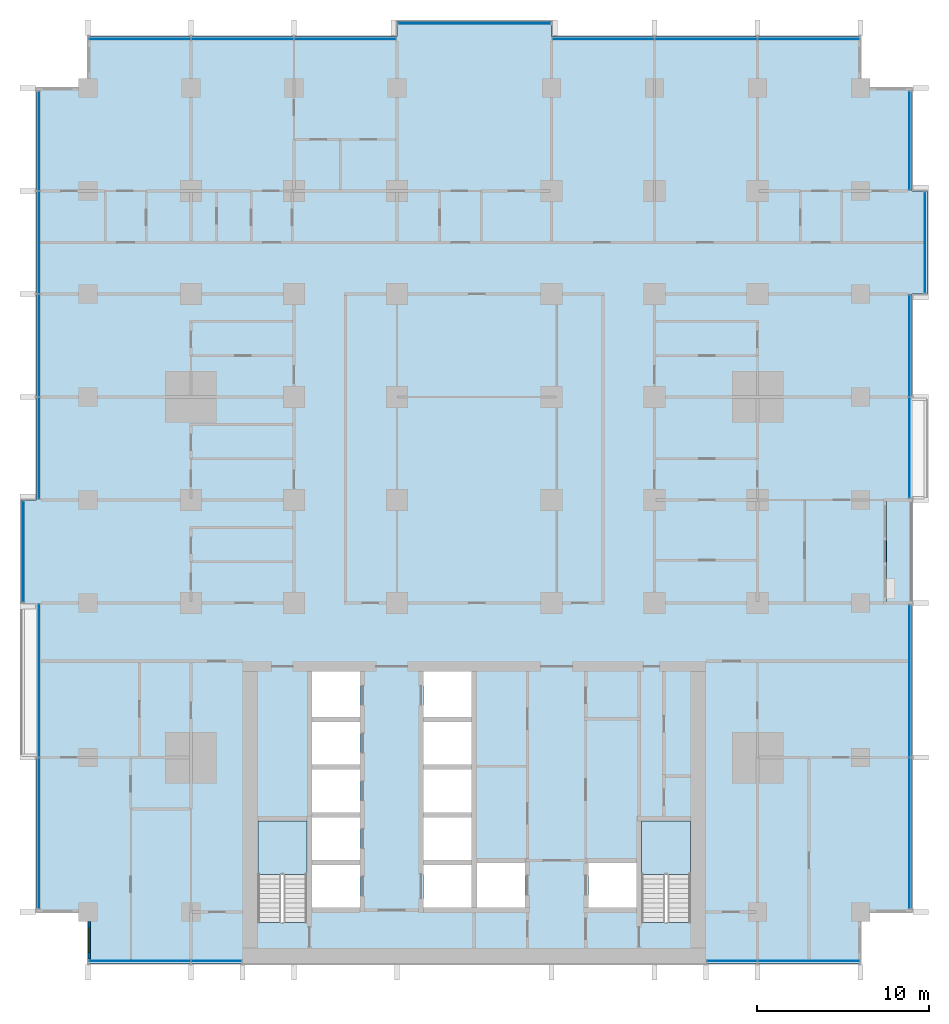
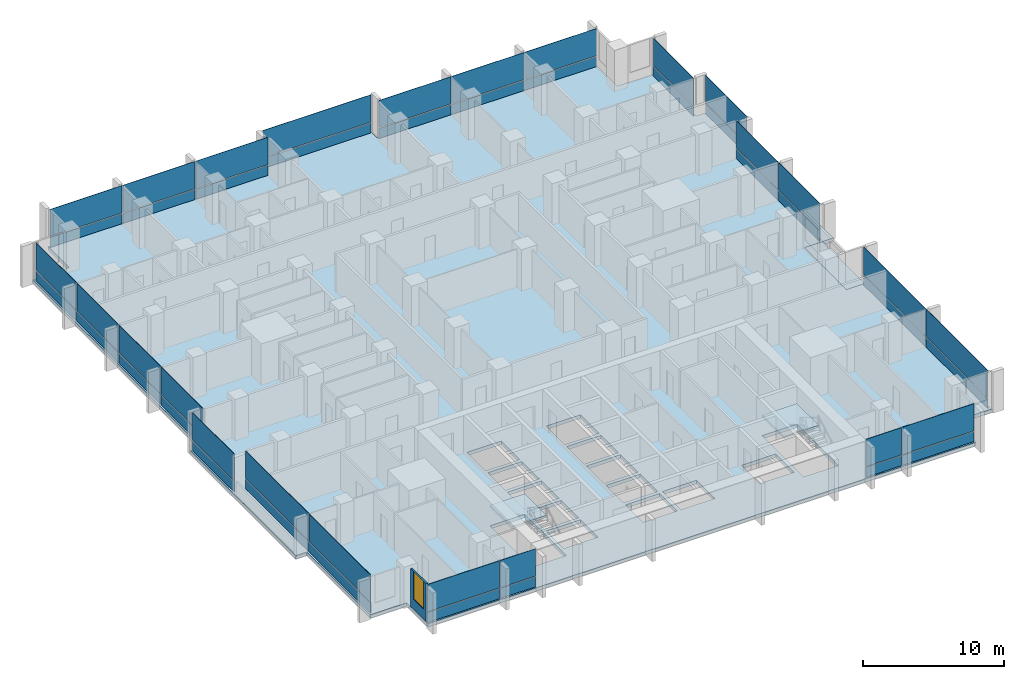
# One storey, part 6 of 17: 48 plates, 4 slabs, 1 wall, 1 window, 1 opening, 14 elements without a shape of their own.
"""IFC4 building model written with IfcOpenShell, lengths in metres."""

from ifc_helpers import new_model, si_unit, direction, frame, frame_2d, origin, origin_2d, place, context, subcontext, project, spatial, polyline, rectangle, outline, extrude, material, layer, layer_set, type_object, element, fill, aggregate, save


model = new_model("IFC4")

# Units and contexts
model_context = context("Model", 3, precision=1e-05, world=origin(), true_north=direction((0.0, 1.0)))
body_context = subcontext(model_context, "Body", "Model", "MODEL_VIEW")
ifc_project = project(units=[si_unit("LENGTHUNIT", "METRE"), si_unit("AREAUNIT", "SQUARE_METRE"), si_unit("VOLUMEUNIT", "CUBIC_METRE"), si_unit("PLANEANGLEUNIT", "RADIAN"), si_unit("MASSUNIT", "GRAM", prefix="KILO")], contexts=[model_context])

# Site, building, storey
site_placement = place(None, origin())
site = spatial("IfcSite", under=ifc_project, at=site_placement, CompositionType="ELEMENT")
building_placement = place(site_placement, origin())
building = spatial("IfcBuilding", under=site, at=building_placement, Name="Finial Court Residences", CompositionType="ELEMENT")
storey_placement = place(building_placement, frame((0.0, 0.0, 64.89990234375)))
storey = spatial("IfcBuildingStorey", under=building, at=storey_placement, Name="L15", CompositionType="ELEMENT", Elevation=64.89990234375)

# Slab
ifc_material_1 = material(Name="Concrete C35/45", Category="concrete")
ifc_layer_1 = layer(ifc_material_1, 0.199951171875)
ifc_layer_set_1 = layer_set([ifc_layer_1], Name="Balcony slab, Concrete C35/45 200")
slab_type_1 = type_object("IfcSlabType", Name="Balcony slab, Concrete C35/45 200", PredefinedType="FLOOR", material=ifc_layer_set_1)
slab_1_placement = place(storey_placement, frame((0.0, 0.0, -0.199951171875)))
element("IfcSlab", 1, at=slab_1_placement, inside=storey, type_object=slab_type_1, Name="Balcony L15-E3", PredefinedType="FLOOR", context=body_context, shape_type="SweptSolid", body=[
    extrude(outline(polyline([(25.5, -4.5), (25.5, 1.5), (24.0, 1.5), (24.0, -4.5), (25.5, -4.5)])), origin(), (0.0, 0.0, 1.0), 0.199951171875),
])

# Curtain wall, plates
ifc_material_2 = material(Name="Bronze anodised aluminium", Category="aluminium")
curtain_wall_type = type_object("IfcCurtainWallType", Name="Unitised curtain wall, lower and middle zones", PredefinedType="NOTDEFINED", material=ifc_material_2)
curtain_wall_1_placement = place(storey_placement, origin())
curtain_wall_1 = element("IfcCurtainWall", 2, at=curtain_wall_1_placement, inside=storey, type_object=curtain_wall_type, Name="E-L15-CW-N1", PredefinedType="NOTDEFINED")
ifc_layer_2 = layer(ifc_material_2, 0.0400390625)
ifc_layer_set_2 = layer_set([ifc_layer_2], Name="CW1 spandrel panel 40")
plate_type_1 = type_object("IfcPlateType", Name="CW1 spandrel panel 40", PredefinedType="CURTAIN_PANEL", material=ifc_layer_set_2)
plate_1_placement = place(storey_placement, frame((-19.48388671875, 28.35009765625, 0.0), z_axis=(0.0, 0.0, 1.0), x_axis=(1.0, 0.0, 0.0)))
plate_1 = element("IfcPlate", 3, at=plate_1_placement, type_object=plate_type_1, Name="CW1 spandrel 1.1", PredefinedType="CURTAIN_PANEL", context=body_context, shape_type="SweptSolid", body=[
    extrude(rectangle(XDim=5.902587890625, YDim=0.0400390625, at=origin_2d()), origin(), (0.0, 0.0, 1.0), 0.867431640625),
])
plate_2_placement = place(storey_placement, frame((-13.5, 28.35009765625, 0.0), z_axis=(0.0, 0.0, 1.0), x_axis=(1.0, 0.0, 0.0)))
plate_2 = element("IfcPlate", 4, at=plate_2_placement, type_object=plate_type_1, Name="CW1 spandrel 2.1", PredefinedType="CURTAIN_PANEL", context=body_context, shape_type="SweptSolid", body=[
    extrude(rectangle(XDim=5.93505859375, YDim=0.0400390625, at=origin_2d()), origin(), (0.0, 0.0, 1.0), 0.867431640625),
])
plate_3_placement = place(storey_placement, frame((-7.51611328125, 28.35009765625, 0.0), z_axis=(0.0, 0.0, 1.0), x_axis=(1.0, 0.0, 0.0)))
plate_3 = element("IfcPlate", 5, at=plate_3_placement, type_object=plate_type_1, Name="CW1 spandrel 3.1", PredefinedType="CURTAIN_PANEL", context=body_context, shape_type="SweptSolid", body=[
    extrude(rectangle(XDim=5.902587890625, YDim=0.0400390625, at=origin_2d()), origin(), (0.0, 0.0, 1.0), 0.867431640625),
])

# Curtain wall, plate
curtain_wall_2_placement = place(storey_placement, origin())
curtain_wall_2 = element("IfcCurtainWall", 6, at=curtain_wall_2_placement, inside=storey, type_object=curtain_wall_type, Name="E-L15-CW-N2", PredefinedType="NOTDEFINED")
plate_4_placement = place(storey_placement, frame((0.0, 29.25, 0.0), z_axis=(0.0, 0.0, 1.0), x_axis=(1.0, 0.0, 0.0)))
plate_4 = element("IfcPlate", 7, at=plate_4_placement, type_object=plate_type_1, Name="CW1 spandrel 1.1", PredefinedType="CURTAIN_PANEL", context=body_context, shape_type="SweptSolid", body=[
    extrude(rectangle(XDim=8.8701171875, YDim=0.0400390625, at=origin_2d()), origin(), (0.0, 0.0, 1.0), 0.867431640625),
])

# Curtain wall, plates
curtain_wall_3_placement = place(storey_placement, origin())
curtain_wall_3 = element("IfcCurtainWall", 8, at=curtain_wall_3_placement, inside=storey, type_object=curtain_wall_type, Name="E-L15-CW-N3", PredefinedType="NOTDEFINED")
plate_5_placement = place(storey_placement, frame((7.51611328125, 28.35009765625, 0.0), z_axis=(0.0, 0.0, 1.0), x_axis=(1.0, 0.0, 0.0)))
plate_5 = element("IfcPlate", 9, at=plate_5_placement, type_object=plate_type_1, Name="CW1 spandrel 1.1", PredefinedType="CURTAIN_PANEL", context=body_context, shape_type="SweptSolid", body=[
    extrude(rectangle(XDim=5.902587890625, YDim=0.0400390625, at=origin_2d()), origin(), (0.0, 0.0, 1.0), 0.867431640625),
])
plate_6_placement = place(storey_placement, frame((13.5, 28.35009765625, 0.0), z_axis=(0.0, 0.0, 1.0), x_axis=(1.0, 0.0, 0.0)))
plate_6 = element("IfcPlate", 10, at=plate_6_placement, type_object=plate_type_1, Name="CW1 spandrel 2.1", PredefinedType="CURTAIN_PANEL", context=body_context, shape_type="SweptSolid", body=[
    extrude(rectangle(XDim=5.93505859375, YDim=0.0400390625, at=origin_2d()), origin(), (0.0, 0.0, 1.0), 0.867431640625),
])
plate_7_placement = place(storey_placement, frame((19.48388671875, 28.35009765625, 0.0), z_axis=(0.0, 0.0, 1.0), x_axis=(1.0, 0.0, 0.0)))
plate_7 = element("IfcPlate", 11, at=plate_7_placement, type_object=plate_type_1, Name="CW1 spandrel 3.1", PredefinedType="CURTAIN_PANEL", context=body_context, shape_type="SweptSolid", body=[
    extrude(rectangle(XDim=5.902587890625, YDim=0.0400390625, at=origin_2d()), origin(), (0.0, 0.0, 1.0), 0.867431640625),
])

curtain_wall_4_placement = place(storey_placement, origin())
curtain_wall_4 = element("IfcCurtainWall", 12, at=curtain_wall_4_placement, inside=storey, type_object=curtain_wall_type, Name="E-L15-CW-E4", PredefinedType="NOTDEFINED")
plate_8_placement = place(storey_placement, frame((25.35009765625, -17.90869140625, 0.0), z_axis=(0.0, 0.0, 1.0), x_axis=(0.0, 1.0, 0.0)))
plate_8 = element("IfcPlate", 13, at=plate_8_placement, type_object=plate_type_1, Name="CW1 spandrel 1.1", PredefinedType="CURTAIN_PANEL", context=body_context, shape_type="SweptSolid", body=[
    extrude(rectangle(XDim=8.75244140625, YDim=0.0400390625, at=origin_2d()), origin(), (0.0, 0.0, 1.0), 0.867431640625),
])
plate_9_placement = place(storey_placement, frame((25.35009765625, -9.0537109375, 0.0), z_axis=(0.0, 0.0, 1.0), x_axis=(0.0, 1.0, 0.0)))
plate_9 = element("IfcPlate", 14, at=plate_9_placement, type_object=plate_type_1, Name="CW1 spandrel 2.1", PredefinedType="CURTAIN_PANEL", context=body_context, shape_type="SweptSolid", body=[
    extrude(rectangle(XDim=8.827392578125, YDim=0.0400390625, at=origin_2d()), origin(), (0.0, 0.0, 1.0), 0.867431640625),
])

curtain_wall_5_placement = place(storey_placement, origin())
curtain_wall_5 = element("IfcCurtainWall", 15, at=curtain_wall_5_placement, inside=storey, type_object=curtain_wall_type, Name="E-L15-CW-E5", PredefinedType="NOTDEFINED")
plate_10_placement = place(storey_placement, frame((25.35009765625, 4.5537109375, 0.0), z_axis=(0.0, 0.0, 1.0), x_axis=(0.0, 1.0, 0.0)))
plate_10 = element("IfcPlate", 16, at=plate_10_placement, type_object=plate_type_1, Name="CW1 spandrel 1.1", PredefinedType="CURTAIN_PANEL", context=body_context, shape_type="SweptSolid", body=[
    extrude(rectangle(XDim=5.827392578125, YDim=0.0400390625, at=origin_2d()), origin(), (0.0, 0.0, 1.0), 0.867431640625),
])
plate_11_placement = place(storey_placement, frame((25.35009765625, 10.483642578125, 0.0), z_axis=(0.0, 0.0, 1.0), x_axis=(0.0, 1.0, 0.0)))
plate_11 = element("IfcPlate", 17, at=plate_11_placement, type_object=plate_type_1, Name="CW1 spandrel 2.1", PredefinedType="CURTAIN_PANEL", context=body_context, shape_type="SweptSolid", body=[
    extrude(rectangle(XDim=5.902587890625, YDim=0.0400390625, at=origin_2d()), origin(), (0.0, 0.0, 1.0), 0.867431640625),
])

# Curtain wall, plate
curtain_wall_6_placement = place(storey_placement, origin())
curtain_wall_6 = element("IfcCurtainWall", 18, at=curtain_wall_6_placement, inside=storey, type_object=curtain_wall_type, Name="E-L15-CW-E6", PredefinedType="NOTDEFINED")
plate_12_placement = place(storey_placement, frame((26.25, 16.5, 0.0), z_axis=(0.0, 0.0, 1.0), x_axis=(0.0, 1.0, 0.0)))
plate_12 = element("IfcPlate", 19, at=plate_12_placement, type_object=plate_type_1, Name="CW1 spandrel 1.1", PredefinedType="CURTAIN_PANEL", context=body_context, shape_type="SweptSolid", body=[
    extrude(rectangle(XDim=5.8701171875, YDim=0.0400390625, at=origin_2d()), origin(), (0.0, 0.0, 1.0), 0.867431640625),
])

curtain_wall_7_placement = place(storey_placement, origin())
curtain_wall_7 = element("IfcCurtainWall", 20, at=curtain_wall_7_placement, inside=storey, type_object=curtain_wall_type, Name="E-L15-CW-E7", PredefinedType="NOTDEFINED")
plate_13_placement = place(storey_placement, frame((25.35009765625, 22.425048828125, 0.0), z_axis=(0.0, 0.0, 1.0), x_axis=(0.0, 1.0, 0.0)))
plate_13 = element("IfcPlate", 21, at=plate_13_placement, type_object=plate_type_1, Name="CW1 spandrel 1.1", PredefinedType="CURTAIN_PANEL", context=body_context, shape_type="SweptSolid", body=[
    extrude(rectangle(XDim=5.719970703125, YDim=0.0400390625, at=origin_2d()), origin(), (0.0, 0.0, 1.0), 0.867431640625),
])

# Curtain wall, plates
curtain_wall_8_placement = place(storey_placement, origin())
curtain_wall_8 = element("IfcCurtainWall", 22, at=curtain_wall_8_placement, inside=storey, type_object=curtain_wall_type, Name="E-L15-CW-S8", PredefinedType="NOTDEFINED")
plate_14_placement = place(storey_placement, frame((-19.48388671875, -25.35009765625, 0.0), z_axis=(0.0, 0.0, 1.0), x_axis=(1.0, 0.0, 0.0)))
plate_14 = element("IfcPlate", 23, at=plate_14_placement, type_object=plate_type_1, Name="CW1 spandrel 1.1", PredefinedType="CURTAIN_PANEL", context=body_context, shape_type="SweptSolid", body=[
    extrude(rectangle(XDim=5.902587890625, YDim=0.0400390625, at=origin_2d()), origin(), (0.0, 0.0, 1.0), 0.867431640625),
])
plate_15_placement = place(storey_placement, frame((-15.016357421875, -25.35009765625, 0.0), z_axis=(0.0, 0.0, 1.0), x_axis=(1.0, 0.0, 0.0)))
plate_15 = element("IfcPlate", 24, at=plate_15_placement, type_object=plate_type_1, Name="CW1 spandrel 2.1", PredefinedType="CURTAIN_PANEL", context=body_context, shape_type="SweptSolid", body=[
    extrude(rectangle(XDim=2.902587890625, YDim=0.0400390625, at=origin_2d()), origin(), (0.0, 0.0, 1.0), 0.867431640625),
])

curtain_wall_9_placement = place(storey_placement, origin())
curtain_wall_9 = element("IfcCurtainWall", 25, at=curtain_wall_9_placement, inside=storey, type_object=curtain_wall_type, Name="E-L15-CW-S9", PredefinedType="NOTDEFINED")
plate_16_placement = place(storey_placement, frame((15.016357421875, -25.35009765625, 0.0), z_axis=(0.0, 0.0, 1.0), x_axis=(1.0, 0.0, 0.0)))
plate_16 = element("IfcPlate", 26, at=plate_16_placement, type_object=plate_type_1, Name="CW1 spandrel 1.1", PredefinedType="CURTAIN_PANEL", context=body_context, shape_type="SweptSolid", body=[
    extrude(rectangle(XDim=2.902587890625, YDim=0.0400390625, at=origin_2d()), origin(), (0.0, 0.0, 1.0), 0.867431640625),
])
plate_17_placement = place(storey_placement, frame((19.48388671875, -25.35009765625, 0.0), z_axis=(0.0, 0.0, 1.0), x_axis=(1.0, 0.0, 0.0)))
plate_17 = element("IfcPlate", 27, at=plate_17_placement, type_object=plate_type_1, Name="CW1 spandrel 2.1", PredefinedType="CURTAIN_PANEL", context=body_context, shape_type="SweptSolid", body=[
    extrude(rectangle(XDim=5.902587890625, YDim=0.0400390625, at=origin_2d()), origin(), (0.0, 0.0, 1.0), 0.867431640625),
])

curtain_wall_10_placement = place(storey_placement, origin())
curtain_wall_10 = element("IfcCurtainWall", 28, at=curtain_wall_10_placement, inside=storey, type_object=curtain_wall_type, Name="E-L15-CW-W10", PredefinedType="NOTDEFINED")
plate_18_placement = place(storey_placement, frame((-25.35009765625, -17.90869140625, 0.0), z_axis=(0.0, 0.0, 1.0), x_axis=(0.0, 1.0, 0.0)))
plate_18 = element("IfcPlate", 29, at=plate_18_placement, type_object=plate_type_1, Name="CW1 spandrel 1.1", PredefinedType="CURTAIN_PANEL", context=body_context, shape_type="SweptSolid", body=[
    extrude(rectangle(XDim=8.75244140625, YDim=0.0400390625, at=origin_2d()), origin(), (0.0, 0.0, 1.0), 0.867431640625),
])
plate_19_placement = place(storey_placement, frame((-25.35009765625, -9.01611328125, 0.0), z_axis=(0.0, 0.0, 1.0), x_axis=(0.0, 1.0, 0.0)))
plate_19 = element("IfcPlate", 30, at=plate_19_placement, type_object=plate_type_1, Name="CW1 spandrel 2.1", PredefinedType="CURTAIN_PANEL", context=body_context, shape_type="SweptSolid", body=[
    extrude(rectangle(XDim=8.902587890625, YDim=0.0400390625, at=origin_2d()), origin(), (0.0, 0.0, 1.0), 0.867431640625),
])

# Curtain wall, plate
curtain_wall_11_placement = place(storey_placement, origin())
curtain_wall_11 = element("IfcCurtainWall", 31, at=curtain_wall_11_placement, inside=storey, type_object=curtain_wall_type, Name="E-L15-CW-W11", PredefinedType="NOTDEFINED")
plate_20_placement = place(storey_placement, frame((-26.25, -1.5, 0.0), z_axis=(0.0, 0.0, 1.0), x_axis=(0.0, 1.0, 0.0)))
plate_20 = element("IfcPlate", 32, at=plate_20_placement, type_object=plate_type_1, Name="CW1 spandrel 1.1", PredefinedType="CURTAIN_PANEL", context=body_context, shape_type="SweptSolid", body=[
    extrude(rectangle(XDim=5.8701171875, YDim=0.0400390625, at=origin_2d()), origin(), (0.0, 0.0, 1.0), 0.867431640625),
])

# Curtain wall, plates
curtain_wall_12_placement = place(storey_placement, origin())
curtain_wall_12 = element("IfcCurtainWall", 33, at=curtain_wall_12_placement, inside=storey, type_object=curtain_wall_type, Name="E-L15-CW-W12", PredefinedType="NOTDEFINED")
plate_21_placement = place(storey_placement, frame((-25.35009765625, 4.516357421875, 0.0), z_axis=(0.0, 0.0, 1.0), x_axis=(0.0, 1.0, 0.0)))
plate_21 = element("IfcPlate", 34, at=plate_21_placement, type_object=plate_type_1, Name="CW1 spandrel 1.1", PredefinedType="CURTAIN_PANEL", context=body_context, shape_type="SweptSolid", body=[
    extrude(rectangle(XDim=5.902587890625, YDim=0.0400390625, at=origin_2d()), origin(), (0.0, 0.0, 1.0), 0.867431640625),
])
plate_22_placement = place(storey_placement, frame((-25.35009765625, 10.5, 0.0), z_axis=(0.0, 0.0, 1.0), x_axis=(0.0, 1.0, 0.0)))
plate_22 = element("IfcPlate", 35, at=plate_22_placement, type_object=plate_type_1, Name="CW1 spandrel 2.1", PredefinedType="CURTAIN_PANEL", context=body_context, shape_type="SweptSolid", body=[
    extrude(rectangle(XDim=5.93505859375, YDim=0.0400390625, at=origin_2d()), origin(), (0.0, 0.0, 1.0), 0.867431640625),
])
plate_23_placement = place(storey_placement, frame((-25.35009765625, 16.5, 0.0), z_axis=(0.0, 0.0, 1.0), x_axis=(0.0, 1.0, 0.0)))
plate_23 = element("IfcPlate", 36, at=plate_23_placement, type_object=plate_type_1, Name="CW1 spandrel 3.1", PredefinedType="CURTAIN_PANEL", context=body_context, shape_type="SweptSolid", body=[
    extrude(rectangle(XDim=5.93505859375, YDim=0.0400390625, at=origin_2d()), origin(), (0.0, 0.0, 1.0), 0.867431640625),
])
plate_24_placement = place(storey_placement, frame((-25.35009765625, 22.40869140625, 0.0), z_axis=(0.0, 0.0, 1.0), x_axis=(0.0, 1.0, 0.0)))
plate_24 = element("IfcPlate", 37, at=plate_24_placement, type_object=plate_type_1, Name="CW1 spandrel 4.1", PredefinedType="CURTAIN_PANEL", context=body_context, shape_type="SweptSolid", body=[
    extrude(rectangle(XDim=5.75244140625, YDim=0.0400390625, at=origin_2d()), origin(), (0.0, 0.0, 1.0), 0.867431640625),
])

# Plate
ifc_material_3 = material(Name="Clear low-e glass", Category="glass")
ifc_layer_3 = layer(ifc_material_3, 0.031982421875)
ifc_layer_set_3 = layer_set([ifc_layer_3], Name="CW1 vision glass 32")
plate_type_2 = type_object("IfcPlateType", Name="CW1 vision glass 32", PredefinedType="CURTAIN_PANEL", material=ifc_layer_set_3)
plate_25_placement = place(storey_placement, frame((-19.48388671875, 28.35009765625, 0.9326171875), z_axis=(0.0, 0.0, 1.0), x_axis=(1.0, 0.0, 0.0)))
plate_25 = element("IfcPlate", 38, at=plate_25_placement, type_object=plate_type_2, Name="CW1 glass 1.2", PredefinedType="CURTAIN_PANEL", context=body_context, shape_type="SweptSolid", body=[
    extrude(rectangle(XDim=5.902587890625, YDim=0.031982421875, at=origin_2d()), origin(), (0.0, 0.0, 1.0), 2.367431640625),
])

plate_26_placement = place(storey_placement, frame((-13.5, 28.35009765625, 0.9326171875), z_axis=(0.0, 0.0, 1.0), x_axis=(1.0, 0.0, 0.0)))
plate_26 = element("IfcPlate", 39, at=plate_26_placement, type_object=plate_type_2, Name="CW1 glass 2.2", PredefinedType="CURTAIN_PANEL", context=body_context, shape_type="SweptSolid", body=[
    extrude(rectangle(XDim=5.93505859375, YDim=0.031982421875, at=origin_2d()), origin(), (0.0, 0.0, 1.0), 2.367431640625),
])

plate_27_placement = place(storey_placement, frame((-7.51611328125, 28.35009765625, 0.9326171875), z_axis=(0.0, 0.0, 1.0), x_axis=(1.0, 0.0, 0.0)))
plate_27 = element("IfcPlate", 40, at=plate_27_placement, type_object=plate_type_2, Name="CW1 glass 3.2", PredefinedType="CURTAIN_PANEL", context=body_context, shape_type="SweptSolid", body=[
    extrude(rectangle(XDim=5.902587890625, YDim=0.031982421875, at=origin_2d()), origin(), (0.0, 0.0, 1.0), 2.367431640625),
])

aggregate(curtain_wall_1, [plate_1, plate_25, plate_2, plate_26, plate_3, plate_27])

plate_28_placement = place(storey_placement, frame((0.0, 29.25, 0.9326171875), z_axis=(0.0, 0.0, 1.0), x_axis=(1.0, 0.0, 0.0)))
plate_28 = element("IfcPlate", 41, at=plate_28_placement, type_object=plate_type_2, Name="CW1 glass 1.2", PredefinedType="CURTAIN_PANEL", context=body_context, shape_type="SweptSolid", body=[
    extrude(rectangle(XDim=8.8701171875, YDim=0.031982421875, at=origin_2d()), origin(), (0.0, 0.0, 1.0), 2.367431640625),
])

aggregate(curtain_wall_2, [plate_4, plate_28])

plate_29_placement = place(storey_placement, frame((7.51611328125, 28.35009765625, 0.9326171875), z_axis=(0.0, 0.0, 1.0), x_axis=(1.0, 0.0, 0.0)))
plate_29 = element("IfcPlate", 42, at=plate_29_placement, type_object=plate_type_2, Name="CW1 glass 1.2", PredefinedType="CURTAIN_PANEL", context=body_context, shape_type="SweptSolid", body=[
    extrude(rectangle(XDim=5.902587890625, YDim=0.031982421875, at=origin_2d()), origin(), (0.0, 0.0, 1.0), 2.367431640625),
])

plate_30_placement = place(storey_placement, frame((13.5, 28.35009765625, 0.9326171875), z_axis=(0.0, 0.0, 1.0), x_axis=(1.0, 0.0, 0.0)))
plate_30 = element("IfcPlate", 43, at=plate_30_placement, type_object=plate_type_2, Name="CW1 glass 2.2", PredefinedType="CURTAIN_PANEL", context=body_context, shape_type="SweptSolid", body=[
    extrude(rectangle(XDim=5.93505859375, YDim=0.031982421875, at=origin_2d()), origin(), (0.0, 0.0, 1.0), 2.367431640625),
])

plate_31_placement = place(storey_placement, frame((19.48388671875, 28.35009765625, 0.9326171875), z_axis=(0.0, 0.0, 1.0), x_axis=(1.0, 0.0, 0.0)))
plate_31 = element("IfcPlate", 44, at=plate_31_placement, type_object=plate_type_2, Name="CW1 glass 3.2", PredefinedType="CURTAIN_PANEL", context=body_context, shape_type="SweptSolid", body=[
    extrude(rectangle(XDim=5.902587890625, YDim=0.031982421875, at=origin_2d()), origin(), (0.0, 0.0, 1.0), 2.367431640625),
])

aggregate(curtain_wall_3, [plate_5, plate_29, plate_6, plate_30, plate_7, plate_31])

plate_32_placement = place(storey_placement, frame((25.35009765625, -17.90869140625, 0.9326171875), z_axis=(0.0, 0.0, 1.0), x_axis=(0.0, 1.0, 0.0)))
plate_32 = element("IfcPlate", 45, at=plate_32_placement, type_object=plate_type_2, Name="CW1 glass 1.2", PredefinedType="CURTAIN_PANEL", context=body_context, shape_type="SweptSolid", body=[
    extrude(rectangle(XDim=8.75244140625, YDim=0.031982421875, at=origin_2d()), origin(), (0.0, 0.0, 1.0), 2.367431640625),
])

plate_33_placement = place(storey_placement, frame((25.35009765625, -9.0537109375, 0.9326171875), z_axis=(0.0, 0.0, 1.0), x_axis=(0.0, 1.0, 0.0)))
plate_33 = element("IfcPlate", 46, at=plate_33_placement, type_object=plate_type_2, Name="CW1 glass 2.2", PredefinedType="CURTAIN_PANEL", context=body_context, shape_type="SweptSolid", body=[
    extrude(rectangle(XDim=8.827392578125, YDim=0.031982421875, at=origin_2d()), origin(), (0.0, 0.0, 1.0), 2.367431640625),
])

aggregate(curtain_wall_4, [plate_8, plate_32, plate_9, plate_33])

plate_34_placement = place(storey_placement, frame((25.35009765625, 4.5537109375, 0.9326171875), z_axis=(0.0, 0.0, 1.0), x_axis=(0.0, 1.0, 0.0)))
plate_34 = element("IfcPlate", 47, at=plate_34_placement, type_object=plate_type_2, Name="CW1 glass 1.2", PredefinedType="CURTAIN_PANEL", context=body_context, shape_type="SweptSolid", body=[
    extrude(rectangle(XDim=5.827392578125, YDim=0.031982421875, at=origin_2d()), origin(), (0.0, 0.0, 1.0), 2.367431640625),
])

plate_35_placement = place(storey_placement, frame((25.35009765625, 10.483642578125, 0.9326171875), z_axis=(0.0, 0.0, 1.0), x_axis=(0.0, 1.0, 0.0)))
plate_35 = element("IfcPlate", 48, at=plate_35_placement, type_object=plate_type_2, Name="CW1 glass 2.2", PredefinedType="CURTAIN_PANEL", context=body_context, shape_type="SweptSolid", body=[
    extrude(rectangle(XDim=5.902587890625, YDim=0.031982421875, at=origin_2d()), origin(), (0.0, 0.0, 1.0), 2.367431640625),
])

aggregate(curtain_wall_5, [plate_10, plate_34, plate_11, plate_35])

plate_36_placement = place(storey_placement, frame((26.25, 16.5, 0.9326171875), z_axis=(0.0, 0.0, 1.0), x_axis=(0.0, 1.0, 0.0)))
plate_36 = element("IfcPlate", 49, at=plate_36_placement, type_object=plate_type_2, Name="CW1 glass 1.2", PredefinedType="CURTAIN_PANEL", context=body_context, shape_type="SweptSolid", body=[
    extrude(rectangle(XDim=5.8701171875, YDim=0.031982421875, at=origin_2d()), origin(), (0.0, 0.0, 1.0), 2.367431640625),
])

aggregate(curtain_wall_6, [plate_12, plate_36])

plate_37_placement = place(storey_placement, frame((25.35009765625, 22.425048828125, 0.9326171875), z_axis=(0.0, 0.0, 1.0), x_axis=(0.0, 1.0, 0.0)))
plate_37 = element("IfcPlate", 50, at=plate_37_placement, type_object=plate_type_2, Name="CW1 glass 1.2", PredefinedType="CURTAIN_PANEL", context=body_context, shape_type="SweptSolid", body=[
    extrude(rectangle(XDim=5.719970703125, YDim=0.031982421875, at=origin_2d()), origin(), (0.0, 0.0, 1.0), 2.367431640625),
])

aggregate(curtain_wall_7, [plate_13, plate_37])

plate_38_placement = place(storey_placement, frame((-19.48388671875, -25.35009765625, 0.9326171875), z_axis=(0.0, 0.0, 1.0), x_axis=(1.0, 0.0, 0.0)))
plate_38 = element("IfcPlate", 51, at=plate_38_placement, type_object=plate_type_2, Name="CW1 glass 1.2", PredefinedType="CURTAIN_PANEL", context=body_context, shape_type="SweptSolid", body=[
    extrude(rectangle(XDim=5.902587890625, YDim=0.031982421875, at=origin_2d()), origin(), (0.0, 0.0, 1.0), 2.367431640625),
])

plate_39_placement = place(storey_placement, frame((-15.016357421875, -25.35009765625, 0.9326171875), z_axis=(0.0, 0.0, 1.0), x_axis=(1.0, 0.0, 0.0)))
plate_39 = element("IfcPlate", 52, at=plate_39_placement, type_object=plate_type_2, Name="CW1 glass 2.2", PredefinedType="CURTAIN_PANEL", context=body_context, shape_type="SweptSolid", body=[
    extrude(rectangle(XDim=2.902587890625, YDim=0.031982421875, at=origin_2d()), origin(), (0.0, 0.0, 1.0), 2.367431640625),
])

aggregate(curtain_wall_8, [plate_14, plate_38, plate_15, plate_39])

plate_40_placement = place(storey_placement, frame((15.016357421875, -25.35009765625, 0.9326171875), z_axis=(0.0, 0.0, 1.0), x_axis=(1.0, 0.0, 0.0)))
plate_40 = element("IfcPlate", 53, at=plate_40_placement, type_object=plate_type_2, Name="CW1 glass 1.2", PredefinedType="CURTAIN_PANEL", context=body_context, shape_type="SweptSolid", body=[
    extrude(rectangle(XDim=2.902587890625, YDim=0.031982421875, at=origin_2d()), origin(), (0.0, 0.0, 1.0), 2.367431640625),
])

plate_41_placement = place(storey_placement, frame((19.48388671875, -25.35009765625, 0.9326171875), z_axis=(0.0, 0.0, 1.0), x_axis=(1.0, 0.0, 0.0)))
plate_41 = element("IfcPlate", 54, at=plate_41_placement, type_object=plate_type_2, Name="CW1 glass 2.2", PredefinedType="CURTAIN_PANEL", context=body_context, shape_type="SweptSolid", body=[
    extrude(rectangle(XDim=5.902587890625, YDim=0.031982421875, at=origin_2d()), origin(), (0.0, 0.0, 1.0), 2.367431640625),
])

aggregate(curtain_wall_9, [plate_16, plate_40, plate_17, plate_41])

plate_42_placement = place(storey_placement, frame((-25.35009765625, -17.90869140625, 0.9326171875), z_axis=(0.0, 0.0, 1.0), x_axis=(0.0, 1.0, 0.0)))
plate_42 = element("IfcPlate", 55, at=plate_42_placement, type_object=plate_type_2, Name="CW1 glass 1.2", PredefinedType="CURTAIN_PANEL", context=body_context, shape_type="SweptSolid", body=[
    extrude(rectangle(XDim=8.75244140625, YDim=0.031982421875, at=origin_2d()), origin(), (0.0, 0.0, 1.0), 2.367431640625),
])

plate_43_placement = place(storey_placement, frame((-25.35009765625, -9.01611328125, 0.9326171875), z_axis=(0.0, 0.0, 1.0), x_axis=(0.0, 1.0, 0.0)))
plate_43 = element("IfcPlate", 56, at=plate_43_placement, type_object=plate_type_2, Name="CW1 glass 2.2", PredefinedType="CURTAIN_PANEL", context=body_context, shape_type="SweptSolid", body=[
    extrude(rectangle(XDim=8.902587890625, YDim=0.031982421875, at=origin_2d()), origin(), (0.0, 0.0, 1.0), 2.367431640625),
])

aggregate(curtain_wall_10, [plate_18, plate_42, plate_19, plate_43])

plate_44_placement = place(storey_placement, frame((-26.25, -1.5, 0.9326171875), z_axis=(0.0, 0.0, 1.0), x_axis=(0.0, 1.0, 0.0)))
plate_44 = element("IfcPlate", 57, at=plate_44_placement, type_object=plate_type_2, Name="CW1 glass 1.2", PredefinedType="CURTAIN_PANEL", context=body_context, shape_type="SweptSolid", body=[
    extrude(rectangle(XDim=5.8701171875, YDim=0.031982421875, at=origin_2d()), origin(), (0.0, 0.0, 1.0), 2.367431640625),
])

aggregate(curtain_wall_11, [plate_20, plate_44])

plate_45_placement = place(storey_placement, frame((-25.35009765625, 4.516357421875, 0.9326171875), z_axis=(0.0, 0.0, 1.0), x_axis=(0.0, 1.0, 0.0)))
plate_45 = element("IfcPlate", 58, at=plate_45_placement, type_object=plate_type_2, Name="CW1 glass 1.2", PredefinedType="CURTAIN_PANEL", context=body_context, shape_type="SweptSolid", body=[
    extrude(rectangle(XDim=5.902587890625, YDim=0.031982421875, at=origin_2d()), origin(), (0.0, 0.0, 1.0), 2.367431640625),
])

plate_46_placement = place(storey_placement, frame((-25.35009765625, 10.5, 0.9326171875), z_axis=(0.0, 0.0, 1.0), x_axis=(0.0, 1.0, 0.0)))
plate_46 = element("IfcPlate", 59, at=plate_46_placement, type_object=plate_type_2, Name="CW1 glass 2.2", PredefinedType="CURTAIN_PANEL", context=body_context, shape_type="SweptSolid", body=[
    extrude(rectangle(XDim=5.93505859375, YDim=0.031982421875, at=origin_2d()), origin(), (0.0, 0.0, 1.0), 2.367431640625),
])

plate_47_placement = place(storey_placement, frame((-25.35009765625, 16.5, 0.9326171875), z_axis=(0.0, 0.0, 1.0), x_axis=(0.0, 1.0, 0.0)))
plate_47 = element("IfcPlate", 60, at=plate_47_placement, type_object=plate_type_2, Name="CW1 glass 3.2", PredefinedType="CURTAIN_PANEL", context=body_context, shape_type="SweptSolid", body=[
    extrude(rectangle(XDim=5.93505859375, YDim=0.031982421875, at=origin_2d()), origin(), (0.0, 0.0, 1.0), 2.367431640625),
])

plate_48_placement = place(storey_placement, frame((-25.35009765625, 22.40869140625, 0.9326171875), z_axis=(0.0, 0.0, 1.0), x_axis=(0.0, 1.0, 0.0)))
plate_48 = element("IfcPlate", 61, at=plate_48_placement, type_object=plate_type_2, Name="CW1 glass 4.2", PredefinedType="CURTAIN_PANEL", context=body_context, shape_type="SweptSolid", body=[
    extrude(rectangle(XDim=5.75244140625, YDim=0.031982421875, at=origin_2d()), origin(), (0.0, 0.0, 1.0), 2.367431640625),
])

aggregate(curtain_wall_12, [plate_21, plate_45, plate_22, plate_46, plate_23, plate_47, plate_24, plate_48])

# Stair, slab
ifc_material_4 = material(Name="Concrete C50/60", Category="concrete")
stair_type = type_object("IfcStairType", Name="Exit stair 22 risers of 163.6 mm", PredefinedType="HALF_TURN_STAIR", material=ifc_material_4)
stair_1_placement = place(storey_placement, origin())
stair_1 = element("IfcStair", 62, at=stair_1_placement, inside=storey, type_object=stair_type, Name="L15 Exit stair ST-1", PredefinedType="HALF_TURN_STAIR")
ifc_layer_4 = layer(ifc_material_4, 0.199951171875)
ifc_layer_set_4 = layer_set([ifc_layer_4], Name="Exit stair landing")
slab_type_2 = type_object("IfcSlabType", Name="Exit stair landing", PredefinedType="LANDING", material=ifc_layer_set_4)
slab_2_placement = place(storey_placement, frame((0.0, 0.0, 1.60009765625)))
slab_2 = element("IfcSlab", 63, at=slab_2_placement, type_object=slab_type_2, Name="ST-1 landing 1", PredefinedType="LANDING", context=body_context, shape_type="SweptSolid", body=[
    extrude(outline(polyline([(-9.75, -20.300048828125), (-9.75, -17.199951171875), (-12.60009765625, -17.199951171875), (-12.60009765625, -20.300048828125), (-9.75, -20.300048828125)])), origin(), (0.0, 0.0, 1.0), 0.199951171875),
])
aggregate(stair_1, [slab_2])

stair_2_placement = place(storey_placement, origin())
stair_2 = element("IfcStair", 64, at=stair_2_placement, inside=storey, type_object=stair_type, Name="L15 Exit stair ST-2", PredefinedType="HALF_TURN_STAIR")
slab_3_placement = place(storey_placement, frame((0.0, 0.0, 1.60009765625)))
slab_3 = element("IfcSlab", 65, at=slab_3_placement, type_object=slab_type_2, Name="ST-2 landing 1", PredefinedType="LANDING", context=body_context, shape_type="SweptSolid", body=[
    extrude(outline(polyline([(12.60009765625, -20.300048828125), (12.60009765625, -17.199951171875), (9.75, -17.199951171875), (9.75, -20.300048828125), (12.60009765625, -20.300048828125)])), origin(), (0.0, 0.0, 1.0), 0.199951171875),
])
aggregate(stair_2, [slab_3])

# Slab
ifc_material_5 = material(Name="Concrete C40/50", Category="concrete")
ifc_layer_5 = layer(ifc_material_5, 0.300048828125)
ifc_layer_set_5 = layer_set([ifc_layer_5], Name="Flat plate slab 300 Concrete C40/50")
slab_type_3 = type_object("IfcSlabType", Name="Flat plate slab 300 Concrete C40/50", PredefinedType="FLOOR", material=ifc_layer_set_5)
slab_4_placement = place(storey_placement, frame((0.0, 0.0, -0.2998046875)))
element("IfcSlab", 66, at=slab_4_placement, inside=storey, type_object=slab_type_3, Name="S:SLAB:L15", PredefinedType="FLOOR", context=body_context, shape_type="SweptSolid", body=[
    extrude(outline(polyline([(-26.39990234375, -13.5), (-26.39990234375, -4.5), (-26.39990234375, 1.5), (-25.5, 1.5), (-25.5, 25.5), (-22.5, 25.5), (-22.5, 28.5), (-4.5, 28.5), (-4.5, 29.39990234375), (4.5, 29.39990234375), (4.5, 28.5), (22.5, 28.5), (22.5, 25.5), (25.5, 25.5), (25.5, 19.5), (26.39990234375, 19.5), (26.39990234375, 13.5), (25.5, 13.5), (25.5, 7.5), (26.39990234375, 7.5), (26.39990234375, 1.5), (25.5, 1.5), (24.0, 1.5), (24.0, -4.5), (25.5, -4.5), (25.5, -22.5), (22.5, -22.5), (22.5, -25.5), (-22.5, -25.5), (-22.5, -22.5), (-25.5, -22.5), (-25.5, -13.5), (-26.39990234375, -13.5)]), holes=[polyline([(-6.64990234375, -19.77001953125), (-9.449951171875, -19.77001953125), (-9.449951171875, -22.25), (-6.64990234375, -22.25), (-6.64990234375, -19.77001953125)]), polyline([(-9.75, -17.199951171875), (-12.60009765625, -17.199951171875), (-12.60009765625, -23.09912109375), (-9.75, -23.09912109375), (-9.75, -17.199951171875)]), polyline([(-6.64990234375, -19.469970703125), (-6.64990234375, -16.989990234375), (-9.449951171875, -16.989990234375), (-9.449951171875, -19.469970703125), (-6.64990234375, -19.469970703125)]), polyline([(-6.64990234375, -16.68994140625), (-6.64990234375, -14.2099609375), (-9.449951171875, -14.2099609375), (-9.449951171875, -16.68994140625), (-6.64990234375, -16.68994140625)]), polyline([(-6.64990234375, -13.909912109375), (-6.64990234375, -11.429931640625), (-9.449951171875, -11.429931640625), (-9.449951171875, -13.909912109375), (-6.64990234375, -13.909912109375)]), polyline([(-6.64990234375, -11.1298828125), (-6.64990234375, -8.5), (-9.449951171875, -8.5), (-9.449951171875, -11.1298828125), (-6.64990234375, -11.1298828125)]), polyline([(-0.14990234375, -11.1298828125), (-0.14990234375, -8.5), (-2.949951171875, -8.5), (-2.949951171875, -11.1298828125), (-0.14990234375, -11.1298828125)]), polyline([(-0.14990234375, -19.77001953125), (-2.949951171875, -19.77001953125), (-2.949951171875, -22.25), (-0.14990234375, -22.25), (-0.14990234375, -19.77001953125)]), polyline([(2.949951171875, -22.25), (2.949951171875, -19.64990234375), (0.14990234375, -19.64990234375), (0.14990234375, -22.25), (2.949951171875, -22.25)]), polyline([(9.449951171875, -22.25), (9.449951171875, -19.64990234375), (6.64990234375, -19.64990234375), (6.64990234375, -22.25), (9.449951171875, -22.25)]), polyline([(12.60009765625, -17.199951171875), (9.75, -17.199951171875), (9.75, -23.09912109375), (12.60009765625, -23.09912109375), (12.60009765625, -17.199951171875)]), polyline([(-0.14990234375, -19.469970703125), (-0.14990234375, -16.989990234375), (-2.949951171875, -16.989990234375), (-2.949951171875, -19.469970703125), (-0.14990234375, -19.469970703125)]), polyline([(-0.14990234375, -16.68994140625), (-0.14990234375, -14.2099609375), (-2.949951171875, -14.2099609375), (-2.949951171875, -16.68994140625), (-0.14990234375, -16.68994140625)]), polyline([(-0.14990234375, -13.909912109375), (-0.14990234375, -11.429931640625), (-2.949951171875, -11.429931640625), (-2.949951171875, -13.909912109375), (-0.14990234375, -13.909912109375)])]), origin(), (0.0, 0.0, 1.0), 0.2998046875),
])

# Wall, opening, window
ifc_material_6 = material(Name="Natural limestone", Category="masonry")
ifc_layer_6 = layer(ifc_material_6, 0.14990234375)
ifc_layer_set_6 = layer_set([ifc_layer_6], Name="Limestone clad wall 150")
wall_type = type_object("IfcWallType", Name="Limestone clad wall 150", PredefinedType="SOLIDWALL", material=ifc_layer_set_6)
wall_placement = place(storey_placement, frame((-22.425048828125, -25.25, 0.0), z_axis=(0.0, 0.0, 1.0), x_axis=(0.0, 1.0, 0.0)))
wall = element("IfcWall", 67, at=wall_placement, inside=storey, type_object=wall_type, Name="E-L15-NWW13", PredefinedType="SOLIDWALL", context=body_context, shape_type="SweptSolid", body=[
    extrude(rectangle(XDim=2.199951171875, YDim=0.14990234375, at=frame_2d((1.10009765625, 0.0))), origin(), (0.0, 0.0, 1.0), 3.300048828125),
])
opening_placement = place(wall_placement, frame((0.39990234375, 0.0, 0.89990234375)))
opening = element("IfcOpeningElement", 68, at=opening_placement, cuts=wall, Name="Opening WE15-01", PredefinedType="OPENING", context=body_context, shape_type="SweptSolid", body=[
    extrude(rectangle(XDim=1.39990234375, YDim=2.39990234375, at=frame_2d((0.699951171875, 1.199951171875))), frame((0.0, 0.0849609375, 0.0), z_axis=(0.0, -1.0, 0.0), x_axis=(1.0, 0.0, 0.0)), (0.0, 0.0, 1.0), 0.169921875),
])
window_type = type_object("IfcWindowType", Name="Corner window 1400 x 2400", PartitioningType="SINGLE_PANEL", PredefinedType="WINDOW", material=ifc_material_3)
window_placement = place(opening_placement, origin())
window = element("IfcWindow", 69, at=window_placement, inside=storey, type_object=window_type, Name="E-L15-NWW13-W1", OverallHeight=2.39990234375, OverallWidth=1.39990234375, PartitioningType="SINGLE_PANEL", PredefinedType="WINDOW", context=body_context, shape_type="SweptSolid", body=[
    extrude(rectangle(XDim=1.39990234375, YDim=2.39990234375, at=frame_2d((0.699951171875, 1.199951171875))), frame((0.0, 0.030029296875, 0.0), z_axis=(0.0, -1.0, 0.0), x_axis=(1.0, 0.0, 0.0)), (0.0, 0.0, 1.0), 0.06005859375),
])
fill(opening, window)

save(model, "model.ifc")
